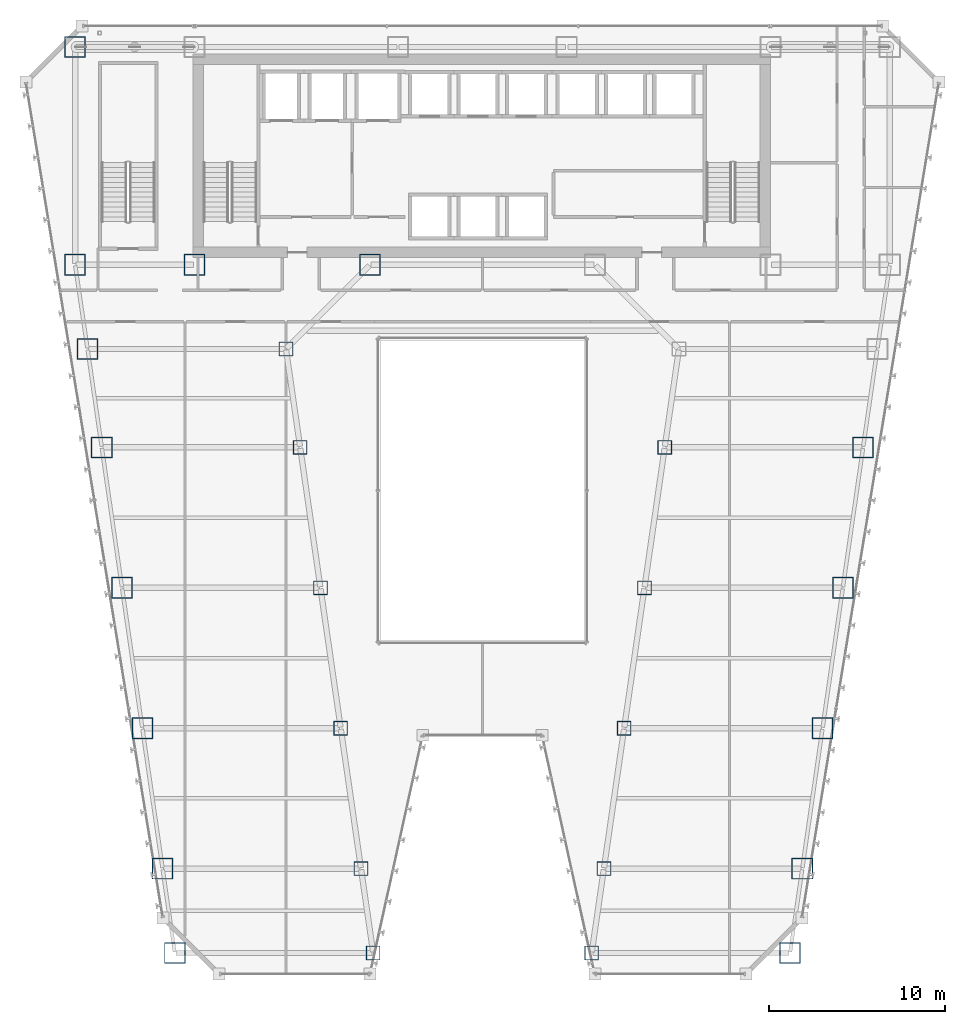
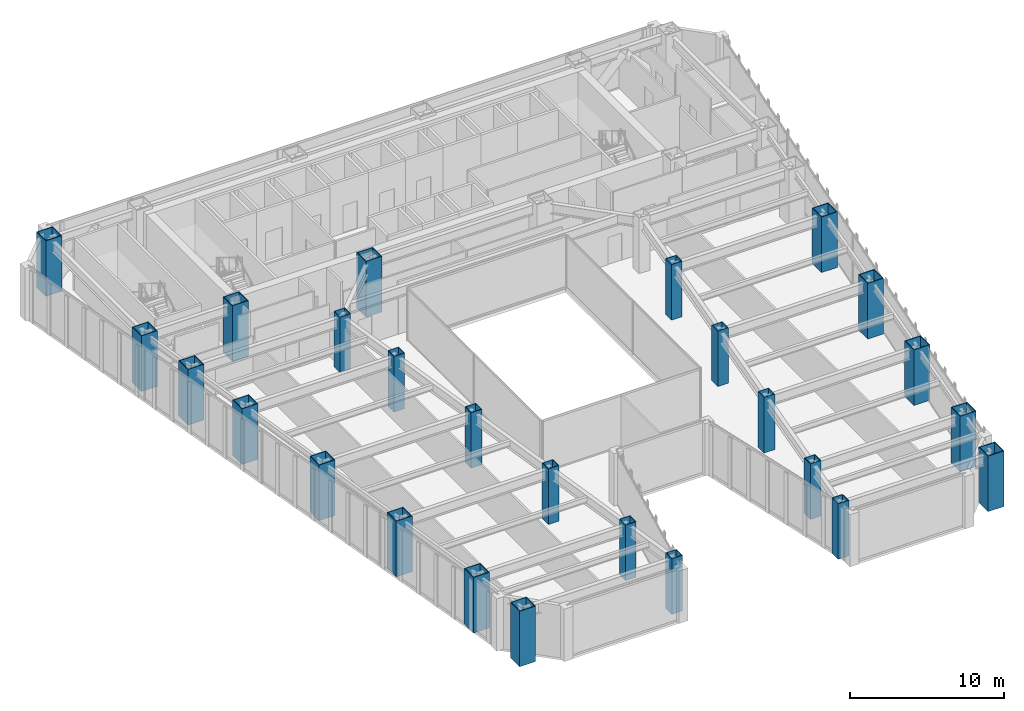
# One storey, part 1 of 47: 26 columns.
"""IFC4 building model written with IfcOpenShell, lengths in metres."""

from ifc_helpers import new_model, si_unit, direction, frame, origin, origin_2d, place, context, subcontext, project, spatial, hollow_rectangle, extrude, material, material_profile, profile_set, type_object, element, save


model = new_model("IFC4")

# Units and contexts
model_context = context("Model", 3, precision=1e-05, world=origin(), true_north=direction((0.0, 1.0)))
body_context = subcontext(model_context, "Body", "Model", "MODEL_VIEW")
ifc_project = project(units=[si_unit("LENGTHUNIT", "METRE"), si_unit("AREAUNIT", "SQUARE_METRE"), si_unit("VOLUMEUNIT", "CUBIC_METRE"), si_unit("PLANEANGLEUNIT", "RADIAN"), si_unit("MASSUNIT", "GRAM", prefix="KILO")], contexts=[model_context])

# Site, building, storey
site_placement = place(None, origin())
site = spatial("IfcSite", under=ifc_project, at=site_placement, CompositionType="ELEMENT")
building_placement = place(site_placement, origin())
building = spatial("IfcBuilding", under=site, at=building_placement, Name="Saevonmaru Cultural Tower", CompositionType="ELEMENT")
storey_placement = place(building_placement, frame((0.0, 0.0, 42.800048828125)))
storey = spatial("IfcBuildingStorey", under=building, at=storey_placement, Name="L08", CompositionType="ELEMENT", Elevation=42.800048828125)

# Columns
ifc_material_1 = material(Name="Steel HSA600 (600 MPa)", Category="steel")
ifc_material_profile_1 = material_profile(ifc_material_1, hollow_rectangle(XDim=1.199951171875, YDim=1.199951171875, WallThickness=0.054931640625, at=origin_2d()), Name="BOX-1200x1200x55")
ifc_profile_set_1 = profile_set([ifc_material_profile_1], Name="Steel HSA600 (600 MPa)")
column_type_1 = type_object("IfcColumnType", Name="COL-BOX-1200", PredefinedType="COLUMN", material=ifc_profile_set_1)
for number, where, z_axis, x_axis, name in (
    (1, (6.800048828125, 54.800048828125, 0.0), (0.0, 0.0, 1.0), (1.0, 0.0, 0.0), "L08 Column TC-N1N"),
    (2, (6.800048828125, 42.39990234375, 0.0), (0.0, 0.0, 1.0), (1.0, 0.0, 0.0), "L08 Column TC-S1C"),
    (3, (13.60009765625, 42.39990234375, 0.0), (0.0, 0.0, 1.0), (1.0, 0.0, 0.0), "L08 Column TC-S2C"),
    (4, (23.60009765625, 42.39990234375, 0.0), (0.0, 0.0, 1.0), (1.0, 0.0, 0.0), "L08 Column TC-S3C"),
    (5, (12.47705078125, 3.199951171875, 0.0), (0.0, 0.0, 1.0), (1.0, 0.0, 0.0), "L08 Column TC-WO-Y032"),
    (6, (47.52294921875, 3.199951171875, 0.0), (0.0, 0.0, 1.0), (1.0, 0.0, 0.0), "L08 Column TC-EO-Y032"),
    (7, (11.782958984375, 8.0, 0.0), (0.0, 0.0, 1.0), (1.0, 0.0, 0.0), "L08 Column TC-WO-Y080"),
    (8, (48.217041015625, 8.0, 0.0), (0.0, 0.0, 1.0), (1.0, 0.0, 0.0), "L08 Column TC-EO-Y080"),
    (9, (10.6279296875, 16.0, 0.0), (0.0, 0.0, 1.0), (1.0, 0.0, 0.0), "L08 Column TC-WO-Y160"),
    (10, (49.3720703125, 16.0, 0.0), (0.0, 0.0, 1.0), (1.0, 0.0, 0.0), "L08 Column TC-EO-Y160"),
    (11, (9.471923828125, 24.0, 0.0), (0.0, 0.0, 1.0), (1.0, 0.0, 0.0), "L08 Column TC-WO-Y240"),
    (12, (50.528076171875, 24.0, 0.0), (0.0, 0.0, 1.0), (1.0, 0.0, 0.0), "L08 Column TC-EO-Y240"),
    (13, (8.31689453125, 32.0, 0.0), (0.0, 0.0, 1.0), (1.0, 0.0, 0.0), "L08 Column TC-WO-Y320"),
    (14, (51.68310546875, 32.0, 0.0), (0.0, 0.0, 1.0), (1.0, 0.0, 0.0), "L08 Column TC-EO-Y320"),
    (15, (7.508056640625, 37.60009765625, 0.0), (0.0, 0.0, 1.0), (1.0, 0.0, 0.0), "L08 Column TC-WO-Y376"),
):
    element("IfcColumn", number, at=place(storey_placement, frame(where, z_axis=z_axis, x_axis=x_axis)), inside=storey, type_object=column_type_1, Name=name, PredefinedType="COLUMN", context=body_context, shape_type="SweptSolid", body=[
        extrude(hollow_rectangle(XDim=1.199951171875, YDim=1.199951171875, WallThickness=0.054931640625, at=origin_2d()), origin(), (0.0, 0.0, 1.0), 4.39990234375),
    ])
ifc_material_2 = material(Name="Steel SM420", Category="steel")
ifc_material_profile_2 = material_profile(ifc_material_2, hollow_rectangle(XDim=0.800048828125, YDim=0.800048828125, WallThickness=0.035888671875, at=origin_2d()), Name="BOX-800x800x36")
ifc_profile_set_2 = profile_set([ifc_material_profile_2], Name="Steel SM420")
column_type_2 = type_object("IfcColumnType", Name="COL-BOX-800", PredefinedType="COLUMN", material=ifc_profile_set_2)
for number, where, z_axis, x_axis, name in (
    (16, (23.777099609375, 3.199951171875, 0.0), (0.0, 0.0, 1.0), (1.0, 0.0, 0.0), "L08 Column TC-WI-Y032"),
    (17, (36.222900390625, 3.199951171875, 0.0), (0.0, 0.0, 1.0), (1.0, 0.0, 0.0), "L08 Column TC-EI-Y032"),
    (18, (23.0830078125, 8.0, 0.0), (0.0, 0.0, 1.0), (1.0, 0.0, 0.0), "L08 Column TC-WI-Y080"),
    (19, (36.9169921875, 8.0, 0.0), (0.0, 0.0, 1.0), (1.0, 0.0, 0.0), "L08 Column TC-EI-Y080"),
    (20, (21.927978515625, 16.0, 0.0), (0.0, 0.0, 1.0), (1.0, 0.0, 0.0), "L08 Column TC-WI-Y160"),
    (21, (38.072021484375, 16.0, 0.0), (0.0, 0.0, 1.0), (1.0, 0.0, 0.0), "L08 Column TC-EI-Y160"),
    (22, (20.77197265625, 24.0, 0.0), (0.0, 0.0, 1.0), (1.0, 0.0, 0.0), "L08 Column TC-WI-Y240"),
    (23, (39.22802734375, 24.0, 0.0), (0.0, 0.0, 1.0), (1.0, 0.0, 0.0), "L08 Column TC-EI-Y240"),
    (24, (19.616943359375, 32.0, 0.0), (0.0, 0.0, 1.0), (1.0, 0.0, 0.0), "L08 Column TC-WI-Y320"),
    (25, (40.383056640625, 32.0, 0.0), (0.0, 0.0, 1.0), (1.0, 0.0, 0.0), "L08 Column TC-EI-Y320"),
    (26, (18.80810546875, 37.60009765625, 0.0), (0.0, 0.0, 1.0), (1.0, 0.0, 0.0), "L08 Column TC-WI-Y376"),
):
    element("IfcColumn", number, at=place(storey_placement, frame(where, z_axis=z_axis, x_axis=x_axis)), inside=storey, type_object=column_type_2, Name=name, PredefinedType="COLUMN", context=body_context, shape_type="SweptSolid", body=[
        extrude(hollow_rectangle(XDim=0.800048828125, YDim=0.800048828125, WallThickness=0.035888671875, at=origin_2d()), origin(), (0.0, 0.0, 1.0), 4.39990234375),
    ])

save(model, "model.ifc")
